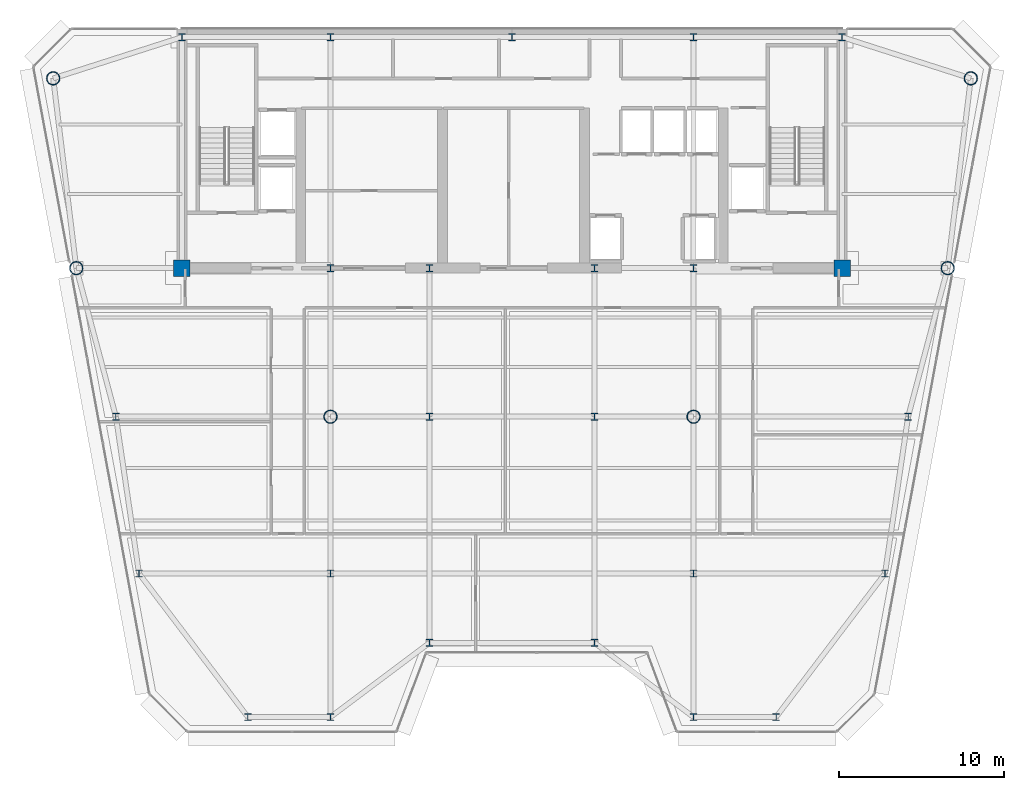
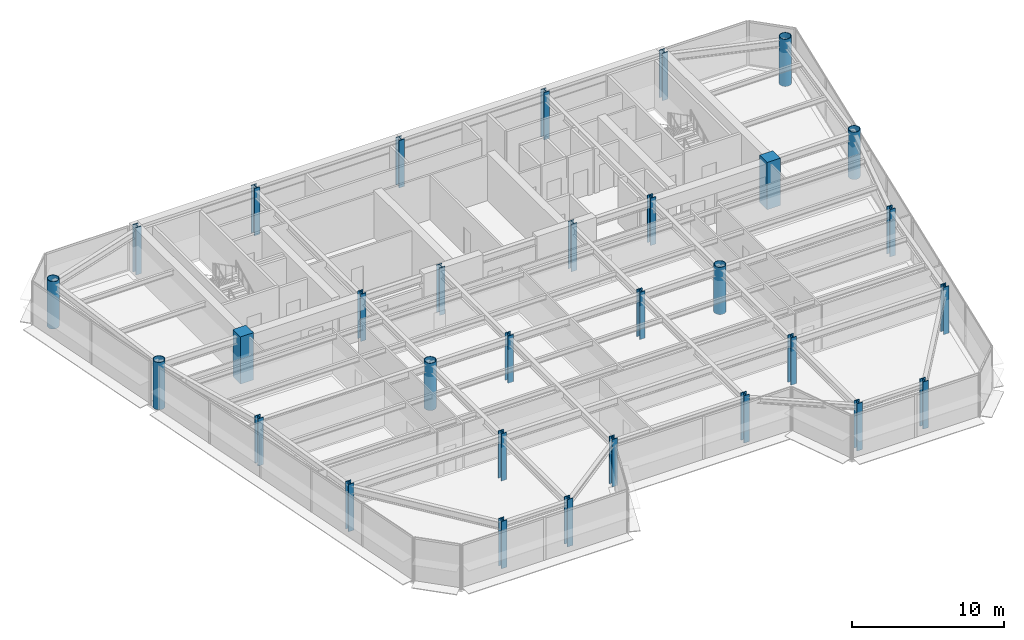
# One storey, part 1 of 16: 31 columns.
"""IFC4 building model written with IfcOpenShell, lengths in metres."""

from ifc_helpers import new_model, si_unit, direction, frame, origin, origin_2d, place, context, subcontext, project, spatial, rectangle, hollow_circle, i_section, extrude, source, transform, mapped, material, material_profile, profile_set, type_object, element, save


model = new_model("IFC4")

# Units and contexts
model_context = context("Model", 3, precision=1e-05, world=origin(), true_north=direction((0.0, 1.0)))
body_context = subcontext(model_context, "Body", "Model", "MODEL_VIEW")
ifc_project = project(units=[si_unit("LENGTHUNIT", "METRE"), si_unit("AREAUNIT", "SQUARE_METRE"), si_unit("VOLUMEUNIT", "CUBIC_METRE"), si_unit("PLANEANGLEUNIT", "RADIAN"), si_unit("MASSUNIT", "GRAM", prefix="KILO")], contexts=[model_context])

# Site, building, storey
site_placement = place(None, origin())
site = spatial("IfcSite", under=ifc_project, at=site_placement, CompositionType="ELEMENT")
building_placement = place(site_placement, origin())
building = spatial("IfcBuilding", under=site, at=building_placement, Name="Vaeldorn Concourse Tower", CompositionType="ELEMENT")
storey_placement = place(building_placement, frame((0.0, 0.0, 210.800048828125)))
storey = spatial("IfcBuildingStorey", under=building, at=storey_placement, Name="L54", CompositionType="ELEMENT", Elevation=210.800048828125)

# Columns
ifc_material_1 = material(Name="Concrete C50/60", Category="concrete")
ifc_material_profile_1 = material_profile(ifc_material_1, rectangle(XDim=1.0, YDim=1.0, at=origin_2d()), Name="RC 1000x1000")
ifc_profile_set_1 = profile_set([ifc_material_profile_1], Name="Concrete C50/60")
column_type_1 = type_object("IfcColumnType", Name="COL-RC1000", PredefinedType="COLUMN", material=ifc_profile_set_1)
shared_shape_1 = source(origin(), body_context, "Body", "SweptSolid", [
    extrude(rectangle(XDim=1.0, YDim=1.0, at=origin_2d()), origin(), (0.0, 0.0, 1.0), 3.800048828125),
])
for number, where, z_axis, x_axis, name in (
    (1, (14.0, 36.5, 0.0), (0.0, 0.0, 1.0), (1.0, 0.0, 0.0), "Column C-FC1 L54"),
    (2, (54.0, 36.5, 0.0), (0.0, 0.0, 1.0), (1.0, 0.0, 0.0), "Column C-FC6 L54"),
):
    element("IfcColumn", number, at=place(storey_placement, frame(where, z_axis=z_axis, x_axis=x_axis)), inside=storey, type_object=column_type_1, Name=name, PredefinedType="COLUMN", context=body_context, shape_type="MappedRepresentation", body=[
        mapped(shared_shape_1, transform((0.0, 0.0, 0.0), scale=1.0)),
    ])
ifc_material_2 = material(Name="Steel S460", Category="steel")
ifc_material_profile_2 = material_profile(ifc_material_2, i_section(OverallWidth=0.41796875, OverallDepth=0.455078125, WebThickness=0.0419921875, FlangeThickness=0.05810546875, FilletRadius=0.014892578125, at=origin_2d()), Name="HD 400x551")
ifc_profile_set_2 = profile_set([ifc_material_profile_2], Name="Steel S460")
column_type_2 = type_object("IfcColumnType", Name="COL-HD551", PredefinedType="COLUMN", material=ifc_profile_set_2)
shared_shape_2 = source(origin(), body_context, "Body", "SweptSolid", [
    extrude(i_section(OverallWidth=0.41796875, OverallDepth=0.455078125, WebThickness=0.0419921875, FlangeThickness=0.05810546875, FilletRadius=0.014892578125, at=origin_2d()), origin(), (0.0, 0.0, 1.0), 3.800048828125),
])
for number, where, z_axis, x_axis, name in (
    (3, (23.0, 36.5, 0.0), (0.0, 0.0, 1.0), (1.0, 0.0, 0.0), "Column C-FC2 L54"),
    (4, (29.0, 36.5, 0.0), (0.0, 0.0, 1.0), (1.0, 0.0, 0.0), "Column C-FC3 L54"),
    (5, (39.0, 36.5, 0.0), (0.0, 0.0, 1.0), (1.0, 0.0, 0.0), "Column C-FC4 L54"),
    (6, (45.0, 36.5, 0.0), (0.0, 0.0, 1.0), (1.0, 0.0, 0.0), "Column C-FC5 L54"),
    (7, (14.0, 50.5, 0.0), (0.0, 0.0, 1.0), (1.0, 0.0, 0.0), "Column C-HC1 L54"),
    (8, (23.0, 50.5, 0.0), (0.0, 0.0, 1.0), (1.0, 0.0, 0.0), "Column C-HC2 L54"),
    (9, (34.0, 50.5, 0.0), (0.0, 0.0, 1.0), (1.0, 0.0, 0.0), "Column C-HC3 L54"),
    (10, (45.0, 50.5, 0.0), (0.0, 0.0, 1.0), (1.0, 0.0, 0.0), "Column C-HC4 L54"),
    (11, (54.0, 50.5, 0.0), (0.0, 0.0, 1.0), (1.0, 0.0, 0.0), "Column C-HC5 L54"),
):
    element("IfcColumn", number, at=place(storey_placement, frame(where, z_axis=z_axis, x_axis=x_axis)), inside=storey, type_object=column_type_2, Name=name, PredefinedType="COLUMN", context=body_context, shape_type="MappedRepresentation", body=[
        mapped(shared_shape_2, transform((0.0, 0.0, 0.0), scale=1.0)),
    ])
ifc_material_profile_3 = material_profile(ifc_material_2, hollow_circle(Radius=0.406494140625, WallThickness=0.0400390625, at=origin_2d()), Name="CHS 813x40")
ifc_profile_set_3 = profile_set([ifc_material_profile_3], Name="Steel S460")
column_type_3 = type_object("IfcColumnType", Name="COL-CHS813", PredefinedType="COLUMN", material=ifc_profile_set_3)
shared_shape_3 = source(origin(), body_context, "Body", "SweptSolid", [
    extrude(hollow_circle(Radius=0.406494140625, WallThickness=0.0400390625, at=origin_2d()), origin(), (0.0, 0.0, 1.0), 3.800048828125),
])
for number, where, z_axis, x_axis, name in (
    (12, (6.199951171875, 48.0, 0.0), (0.0, 0.0, 1.0), (1.0, 0.0, 0.0), "Column C-NW1 L54"),
    (13, (7.60009765625, 36.5, 0.0), (0.0, 0.0, 1.0), (1.0, 0.0, 0.0), "Column C-NW2 L54"),
    (14, (61.800048828125, 48.0, 0.0), (0.0, 0.0, 1.0), (1.0, 0.0, 0.0), "Column C-NE1 L54"),
    (15, (60.39990234375, 36.5, 0.0), (0.0, 0.0, 1.0), (1.0, 0.0, 0.0), "Column C-NE2 L54"),
    (16, (23.0, 27.5, 0.0), (0.0, 0.0, 1.0), (1.0, 0.0, 0.0), "Column C-TW1 L54"),
    (17, (45.0, 27.5, 0.0), (0.0, 0.0, 1.0), (1.0, 0.0, 0.0), "Column C-TW4 L54"),
):
    element("IfcColumn", number, at=place(storey_placement, frame(where, z_axis=z_axis, x_axis=x_axis)), inside=storey, type_object=column_type_3, Name=name, PredefinedType="COLUMN", context=body_context, shape_type="MappedRepresentation", body=[
        mapped(shared_shape_3, transform((0.0, 0.0, 0.0), scale=1.0)),
    ])
ifc_material_3 = material(Name="Steel S355", Category="steel")
ifc_material_profile_4 = material_profile(ifc_material_3, i_section(OverallWidth=0.412109375, OverallDepth=0.43505859375, WebThickness=0.035888671875, FlangeThickness=0.050048828125, FilletRadius=0.014892578125, at=origin_2d()), Name="HD 400x463")
ifc_profile_set_4 = profile_set([ifc_material_profile_4], Name="Steel S355")
column_type_4 = type_object("IfcColumnType", Name="COL-HD463F", PredefinedType="COLUMN", material=ifc_profile_set_4)
shared_shape_4 = source(origin(), body_context, "Body", "SweptSolid", [
    extrude(i_section(OverallWidth=0.412109375, OverallDepth=0.43505859375, WebThickness=0.035888671875, FlangeThickness=0.050048828125, FilletRadius=0.014892578125, at=origin_2d()), origin(), (0.0, 0.0, 1.0), 3.800048828125),
])
for number, where, z_axis, x_axis, name in (
    (18, (10.0, 27.5, 0.0), (0.0, 0.0, 1.0), (1.0, 0.0, 0.0), "Column C-FLW1 L54"),
    (19, (11.39990234375, 18.0, 0.0), (0.0, 0.0, 1.0), (1.0, 0.0, 0.0), "Column C-FLW2 L54"),
    (20, (58.0, 27.5, 0.0), (0.0, 0.0, 1.0), (1.0, 0.0, 0.0), "Column C-FLE1 L54"),
    (21, (56.60009765625, 18.0, 0.0), (0.0, 0.0, 1.0), (1.0, 0.0, 0.0), "Column C-FLE2 L54"),
):
    element("IfcColumn", number, at=place(storey_placement, frame(where, z_axis=z_axis, x_axis=x_axis)), inside=storey, type_object=column_type_4, Name=name, PredefinedType="COLUMN", context=body_context, shape_type="MappedRepresentation", body=[
        mapped(shared_shape_4, transform((0.0, 0.0, 0.0), scale=1.0)),
    ])
ifc_material_profile_5 = material_profile(ifc_material_3, i_section(OverallWidth=0.412109375, OverallDepth=0.43505859375, WebThickness=0.035888671875, FlangeThickness=0.050048828125, FilletRadius=0.014892578125, at=origin_2d()), Name="HD 400x463")
ifc_profile_set_5 = profile_set([ifc_material_profile_5], Name="Steel S355")
column_type_5 = type_object("IfcColumnType", Name="COL-HD463T", PredefinedType="COLUMN", material=ifc_profile_set_5)
shared_shape_5 = source(origin(), body_context, "Body", "SweptSolid", [
    extrude(i_section(OverallWidth=0.412109375, OverallDepth=0.43505859375, WebThickness=0.035888671875, FlangeThickness=0.050048828125, FilletRadius=0.014892578125, at=origin_2d()), origin(), (0.0, 0.0, 1.0), 3.800048828125),
])
for number, where, z_axis, x_axis, name in (
    (22, (29.0, 27.5, 0.0), (0.0, 0.0, 1.0), (1.0, 0.0, 0.0), "Column C-TW2 L54"),
    (23, (39.0, 27.5, 0.0), (0.0, 0.0, 1.0), (1.0, 0.0, 0.0), "Column C-TW3 L54"),
    (24, (23.0, 18.0, 0.0), (0.0, 0.0, 1.0), (1.0, 0.0, 0.0), "Column C-TW5 L54"),
    (25, (45.0, 18.0, 0.0), (0.0, 0.0, 1.0), (1.0, 0.0, 0.0), "Column C-TW6 L54"),
    (26, (18.0, 9.300048828125, 0.0), (0.0, 0.0, 1.0), (1.0, 0.0, 0.0), "Column C-SF1 L54"),
    (27, (23.0, 9.300048828125, 0.0), (0.0, 0.0, 1.0), (1.0, 0.0, 0.0), "Column C-SF2 L54"),
    (28, (29.0, 13.800048828125, 0.0), (0.0, 0.0, 1.0), (1.0, 0.0, 0.0), "Column C-SF3 L54"),
    (29, (39.0, 13.800048828125, 0.0), (0.0, 0.0, 1.0), (1.0, 0.0, 0.0), "Column C-SF4 L54"),
    (30, (45.0, 9.300048828125, 0.0), (0.0, 0.0, 1.0), (1.0, 0.0, 0.0), "Column C-SF5 L54"),
    (31, (50.0, 9.300048828125, 0.0), (0.0, 0.0, 1.0), (1.0, 0.0, 0.0), "Column C-SF6 L54"),
):
    element("IfcColumn", number, at=place(storey_placement, frame(where, z_axis=z_axis, x_axis=x_axis)), inside=storey, type_object=column_type_5, Name=name, PredefinedType="COLUMN", context=body_context, shape_type="MappedRepresentation", body=[
        mapped(shared_shape_5, transform((0.0, 0.0, 0.0), scale=1.0)),
    ])

save(model, "model.ifc")
